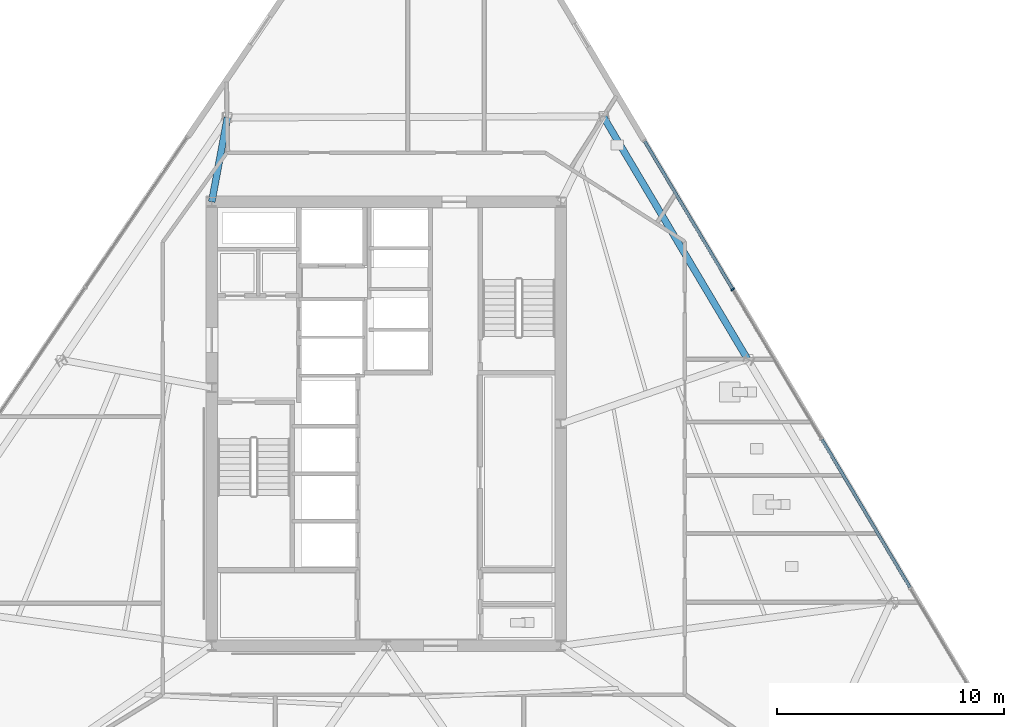
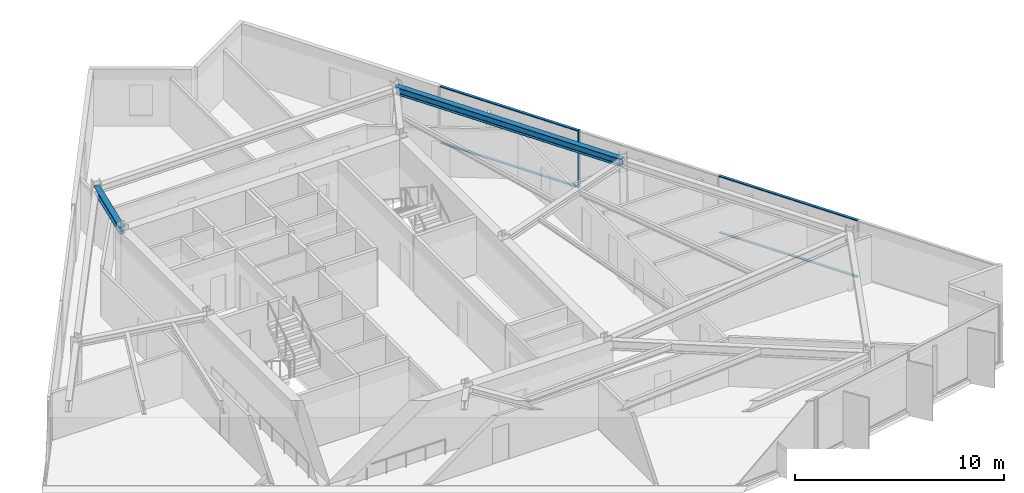
# One storey, part 5 of 15: 5 members, 2 beams, 1 element without a shape of its own.
"""IFC4 building model written with IfcOpenShell, lengths in metres."""

from ifc_helpers import new_model, si_unit, direction, frame, origin, origin_2d, place, context, subcontext, project, spatial, rectangle, i_section, extrude, material, material_profile, profile_set, type_object, element, aggregate, save


model = new_model("IFC4")

# Units and contexts
model_context = context("Model", 3, precision=1e-05, world=origin(), true_north=direction((0.0, 1.0)))
body_context = subcontext(model_context, "Body", "Model", "MODEL_VIEW")
ifc_project = project(units=[si_unit("LENGTHUNIT", "METRE"), si_unit("AREAUNIT", "SQUARE_METRE"), si_unit("VOLUMEUNIT", "CUBIC_METRE"), si_unit("PLANEANGLEUNIT", "RADIAN"), si_unit("MASSUNIT", "GRAM", prefix="KILO")], contexts=[model_context])

# Site, building, storey
site_placement = place(None, origin())
site = spatial("IfcSite", under=ifc_project, at=site_placement, CompositionType="ELEMENT")
building_placement = place(site_placement, origin())
building = spatial("IfcBuilding", under=site, at=building_placement, Name="Savorim Split Tower", CompositionType="ELEMENT")
storey_placement = place(building_placement, frame((0.0, 0.0, 138.60009765625)))
storey = spatial("IfcBuildingStorey", under=building, at=storey_placement, Name="L36", CompositionType="ELEMENT", Elevation=138.60009765625)

# Beams
ifc_material_1 = material(Name="Steel S355", Category="steel")
ifc_material_profile_1 = material_profile(ifc_material_1, i_section(OverallWidth=0.300048828125, OverallDepth=0.360107421875, WebThickness=0.012451171875, FlangeThickness=0.0224609375, FilletRadius=0.027099609375, at=origin_2d()), Name="HEB 360")
ifc_profile_set_1 = profile_set([ifc_material_profile_1], Name="Steel S355")
beam_type_1 = type_object("IfcBeamType", Name="BM-PRI-HEB360", PredefinedType="BEAM", material=ifc_profile_set_1)
beam_1_placement = place(storey_placement, frame((-7.01025390625, 13.91796875, 3.169921875), z_axis=(-0.182389802464, -0.983226301498, 0.0), x_axis=(0.983226301498, -0.182389802464, 0.0)))
element("IfcBeam", 1, at=beam_1_placement, inside=storey, type_object=beam_type_1, Name="L36 Primary Floor Girder RG-08", PredefinedType="BEAM", context=body_context, shape_type="SweptSolid", body=[
    extrude(i_section(OverallWidth=0.300048828125, OverallDepth=0.360107421875, WebThickness=0.012451171875, FlangeThickness=0.0224609375, FilletRadius=0.027099609375, at=origin_2d()), origin(), (0.0, 0.0, 1.0), 3.781494140625),
])
ifc_material_profile_2 = material_profile(ifc_material_1, i_section(OverallWidth=0.300048828125, OverallDepth=0.43994140625, WebThickness=0.011474609375, FlangeThickness=0.02099609375, FilletRadius=0.027099609375, at=origin_2d()), Name="HEA 450")
ifc_profile_set_2 = profile_set([ifc_material_profile_2], Name="Steel S355")
beam_type_2 = type_object("IfcBeamType", Name="BM-SPN-HEA450", PredefinedType="SPANDREL", material=ifc_profile_set_2)
beam_2_placement = place(storey_placement, frame((15.938232421875, 3.266845703125, 3.1298828125), z_axis=(-0.511085574508, 0.859529833997, 0.0), x_axis=(-0.859529833997, -0.511085574508, 0.0)))
element("IfcBeam", 2, at=beam_2_placement, inside=storey, type_object=beam_type_2, Name="L36 Perimeter Spandrel Beam 6", PredefinedType="SPANDREL", context=body_context, shape_type="SweptSolid", body=[
    extrude(i_section(OverallWidth=0.300048828125, OverallDepth=0.43994140625, WebThickness=0.011474609375, FlangeThickness=0.02099609375, FilletRadius=0.027099609375, at=origin_2d()), origin(), (0.0, 0.0, 1.0), 12.44873046875),
])

# Curtain wall, members
ifc_material_2 = material(Name="Dark Ceramic-Fritted Insulated Glass", Category="glass")
curtain_wall_type = type_object("IfcCurtainWallType", Name="CW-TWR-FRIT-A", PredefinedType="NOTDEFINED", material=ifc_material_2)
curtain_wall_placement = place(storey_placement, origin())
curtain_wall = element("IfcCurtainWall", 3, at=curtain_wall_placement, inside=storey, type_object=curtain_wall_type, Name="L36 Curtain Wall CW-L36-EAST", PredefinedType="NOTDEFINED")
ifc_material_3 = material(Name="Charcoal Anodised Aluminium", Category="aluminium")
ifc_material_profile_3 = material_profile(ifc_material_3, rectangle(XDim=0.179931640625, YDim=0.06494140625, at=origin_2d()), Name="ALU-M 180x65")
ifc_profile_set_3 = profile_set([ifc_material_profile_3], Name="Charcoal Anodised Aluminium")
member_type_1 = type_object("IfcMemberType", Name="CWM-180x65", PredefinedType="MULLION", material=ifc_profile_set_3)
member_1_placement = place(storey_placement, frame((15.2900390625, 6.334228515625, 0.0), z_axis=(0.0, 0.0, 1.0), x_axis=(-0.859526328423, -0.511091470039, 0.0)))
member_1 = element("IfcMember", 4, at=member_1_placement, type_object=member_type_1, Name="CW-02 mullion 4", PredefinedType="MULLION", context=body_context, shape_type="SweptSolid", body=[
    extrude(rectangle(XDim=0.179931640625, YDim=0.06494140625, at=origin_2d()), origin(), (0.0, 0.0, 1.0), 3.349853515625),
])
ifc_material_profile_4 = material_profile(ifc_material_3, rectangle(XDim=0.139892578125, YDim=0.054931640625, at=origin_2d()), Name="ALU-T 140x55")
ifc_profile_set_4 = profile_set([ifc_material_profile_4], Name="Charcoal Anodised Aluminium")
member_type_2 = type_object("IfcMemberType", Name="CWT-140x55", PredefinedType="USERDEFINED", material=ifc_profile_set_4)
member_2_placement = place(storey_placement, frame((23.11279296875, -6.821533203125, 0.02734375), z_axis=(-0.511101677257, 0.859520258926, 0.0), x_axis=(-0.859520258926, -0.511101677257, 0.0)))
member_2 = element("IfcMember", 5, at=member_2_placement, type_object=member_type_2, Name="CW-02 transom 2.1", ObjectType="TRANSOM", PredefinedType="USERDEFINED", context=body_context, shape_type="SweptSolid", body=[
    extrude(rectangle(XDim=0.139892578125, YDim=0.054931640625, at=origin_2d()), origin(), (0.0, 0.0, 1.0), 7.60400390625),
])
member_3_placement = place(storey_placement, frame((23.11279296875, -6.821533203125, 3.322509765625), z_axis=(-0.511101677257, 0.859520258926, 0.0), x_axis=(-0.859520258926, -0.511101677257, 0.0)))
member_3 = element("IfcMember", 6, at=member_3_placement, type_object=member_type_2, Name="CW-02 transom 2.2", ObjectType="TRANSOM", PredefinedType="USERDEFINED", context=body_context, shape_type="SweptSolid", body=[
    extrude(rectangle(XDim=0.139892578125, YDim=0.054931640625, at=origin_2d()), origin(), (0.0, 0.0, 1.0), 7.60400390625),
])
member_4_placement = place(storey_placement, frame((15.2734375, 6.3623046875, 0.02734375), z_axis=(-0.511096639182, 0.859523254727, 0.0), x_axis=(-0.859523254727, -0.511096639182, 0.0)))
member_4 = element("IfcMember", 7, at=member_4_placement, type_object=member_type_2, Name="CW-02 transom 4.1", ObjectType="TRANSOM", PredefinedType="USERDEFINED", context=body_context, shape_type="SweptSolid", body=[
    extrude(rectangle(XDim=0.139892578125, YDim=0.054931640625, at=origin_2d()), origin(), (0.0, 0.0, 1.0), 7.57177734375),
])
member_5_placement = place(storey_placement, frame((15.2734375, 6.3623046875, 3.322509765625), z_axis=(-0.511096639182, 0.859523254727, 0.0), x_axis=(-0.859523254727, -0.511096639182, 0.0)))
member_5 = element("IfcMember", 8, at=member_5_placement, type_object=member_type_2, Name="CW-02 transom 4.2", ObjectType="TRANSOM", PredefinedType="USERDEFINED", context=body_context, shape_type="SweptSolid", body=[
    extrude(rectangle(XDim=0.139892578125, YDim=0.054931640625, at=origin_2d()), origin(), (0.0, 0.0, 1.0), 7.57177734375),
])
aggregate(curtain_wall, [member_1, member_2, member_3, member_4, member_5])

save(model, "model.ifc")
